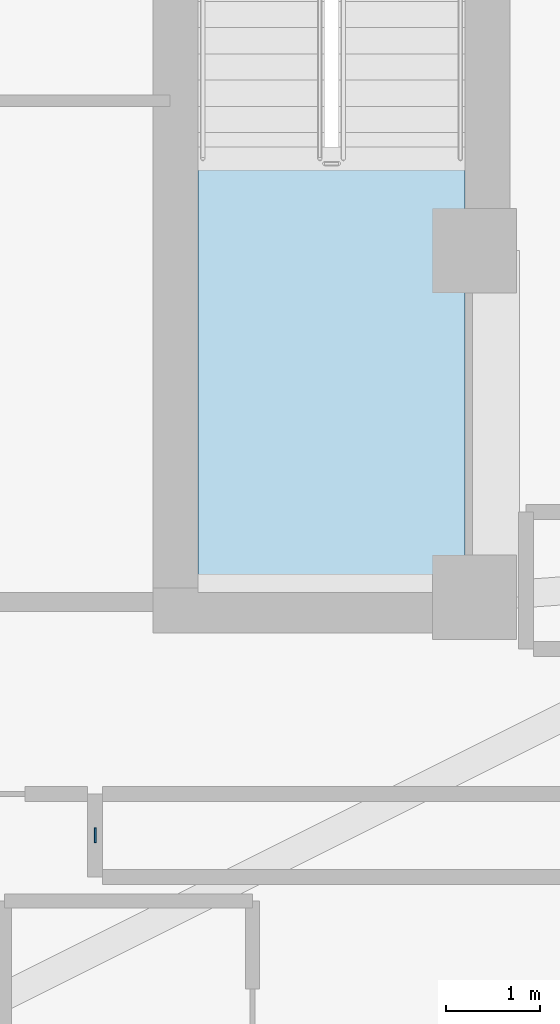
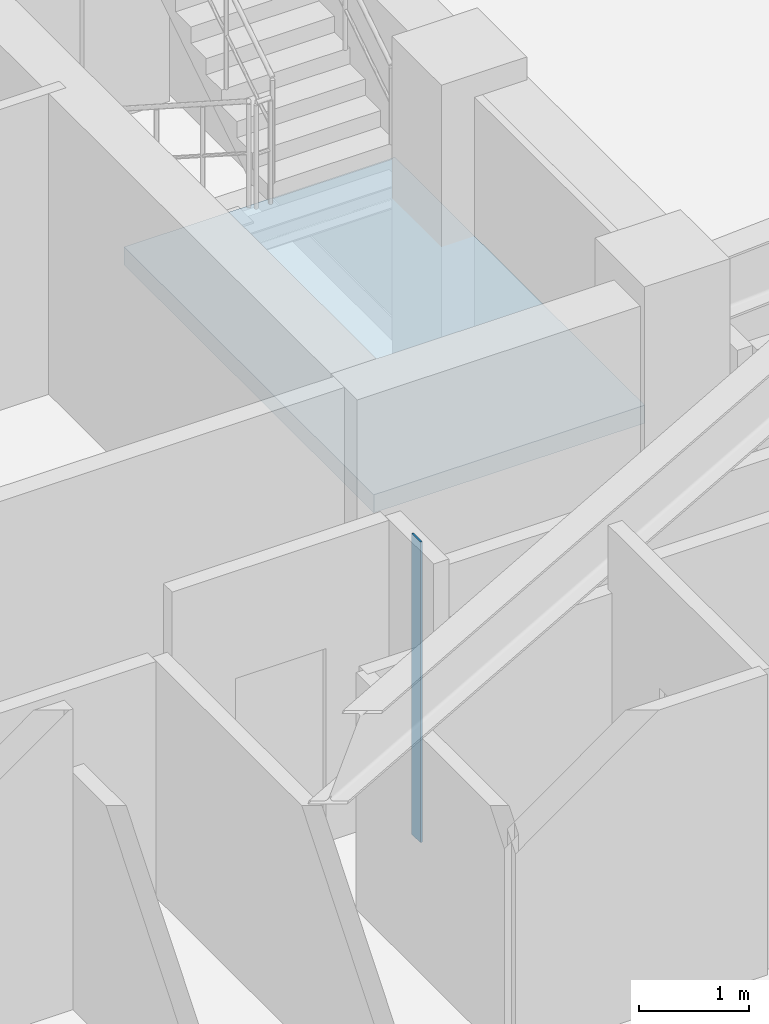
# One storey, part 2 of 12: 1 plate, 1 slab, 1 element without a shape of its own.
"""IFC4 building model written with IfcOpenShell, lengths in metres."""

from ifc_helpers import new_model, si_unit, direction, frame, origin, origin_2d, place, context, subcontext, project, spatial, polyline, rectangle, outline, extrude, material, layer, layer_set, type_object, element, aggregate, save


model = new_model("IFC4")

# Units and contexts
model_context = context("Model", 3, precision=1e-05, world=origin(), true_north=direction((0.0, 1.0)))
body_context = subcontext(model_context, "Body", "Model", "MODEL_VIEW")
ifc_project = project(units=[si_unit("LENGTHUNIT", "METRE"), si_unit("AREAUNIT", "SQUARE_METRE"), si_unit("VOLUMEUNIT", "CUBIC_METRE"), si_unit("PLANEANGLEUNIT", "RADIAN"), si_unit("MASSUNIT", "GRAM", prefix="KILO")], contexts=[model_context])

# Site, building, storey
site_placement = place(None, origin())
site = spatial("IfcSite", under=ifc_project, at=site_placement, CompositionType="ELEMENT")
building_placement = place(site_placement, origin())
building = spatial("IfcBuilding", under=site, at=building_placement, Name="Miruveldt Soraemaru", CompositionType="ELEMENT")
storey_placement = place(building_placement, frame((0.0, 0.0, 219.60009765625)))
storey = spatial("IfcBuildingStorey", under=building, at=storey_placement, Name="L60", CompositionType="ELEMENT", Elevation=219.60009765625)

# Plate
ifc_material_1 = material(Name="Anodised aluminium EN AW-6063 T6", Category="aluminium")
ifc_layer_1 = layer(ifc_material_1, 0.02001953125, Name="Anodised aluminium EN AW-6063 T6", Category="aluminium")
ifc_layer_set_1 = layer_set([ifc_layer_1], Name="Anodised aluminium EN AW-6063 T6")
plate_type = type_object("IfcPlateType", Name="PLT-PART-TRIM", PredefinedType="SHEET", material=ifc_layer_set_1)
plate_placement = place(storey_placement, frame((48.449951171875, 32.9580078125, 0.0), z_axis=(0.0, 0.0, 1.0), x_axis=(0.0, 1.0, 0.0)))
element("IfcPlate", 1, at=plate_placement, inside=storey, type_object=plate_type, Name="L60 Partition Step Corner Trim Plate 040", PredefinedType="SHEET", context=body_context, shape_type="SweptSolid", body=[
    extrude(rectangle(XDim=0.159912109375, YDim=0.02001953125, at=origin_2d()), origin(), (0.0, 0.0, 1.0), 3.344970703125),
])

# Stair, slab
ifc_material_2 = material(Name="Concrete C40/50 (40 MPa)", Category="concrete")
stair_type = type_object("IfcStairType", Name="STAIR-DL-360", PredefinedType="HALF_TURN_STAIR", material=ifc_material_2)
stair_placement = place(storey_placement, origin())
stair = element("IfcStair", 2, at=stair_placement, inside=storey, type_object=stair_type, Name="L60 Protected Exit Stair ST-2", PredefinedType="HALF_TURN_STAIR")
ifc_layer_2 = layer(ifc_material_2, 0.199951171875, Name="Concrete C40/50 (40 MPa)", Category="concrete")
ifc_layer_set_2 = layer_set([ifc_layer_2], Name="Concrete C40/50 (40 MPa)")
slab_type = type_object("IfcSlabType", Name="SLAB-LAND-200", PredefinedType="LANDING", material=ifc_layer_set_2)
slab_placement = place(storey_placement, frame((0.0, 0.0, 1.599853515625)))
slab = element("IfcSlab", 3, at=slab_placement, type_object=slab_type, Name="ST-2 landing 1", PredefinedType="LANDING", context=body_context, shape_type="SweptSolid", body=[
    extrude(outline(polyline([(49.550048828125, 40.197998046875), (49.550048828125, 35.64990234375), (52.39990234375, 35.64990234375), (52.39990234375, 40.197998046875), (49.550048828125, 40.197998046875)])), origin(), (0.0, 0.0, 1.0), 0.199951171875),
])
aggregate(stair, [slab])

save(model, "model.ifc")
